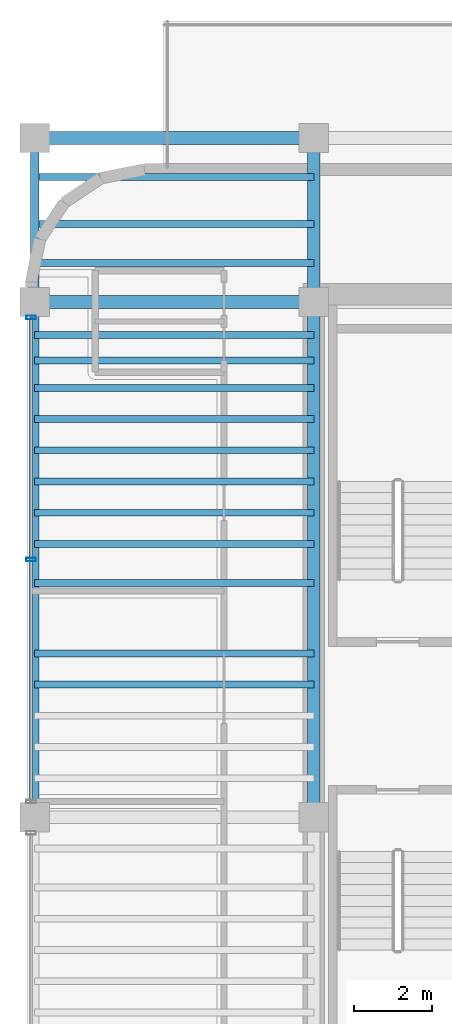
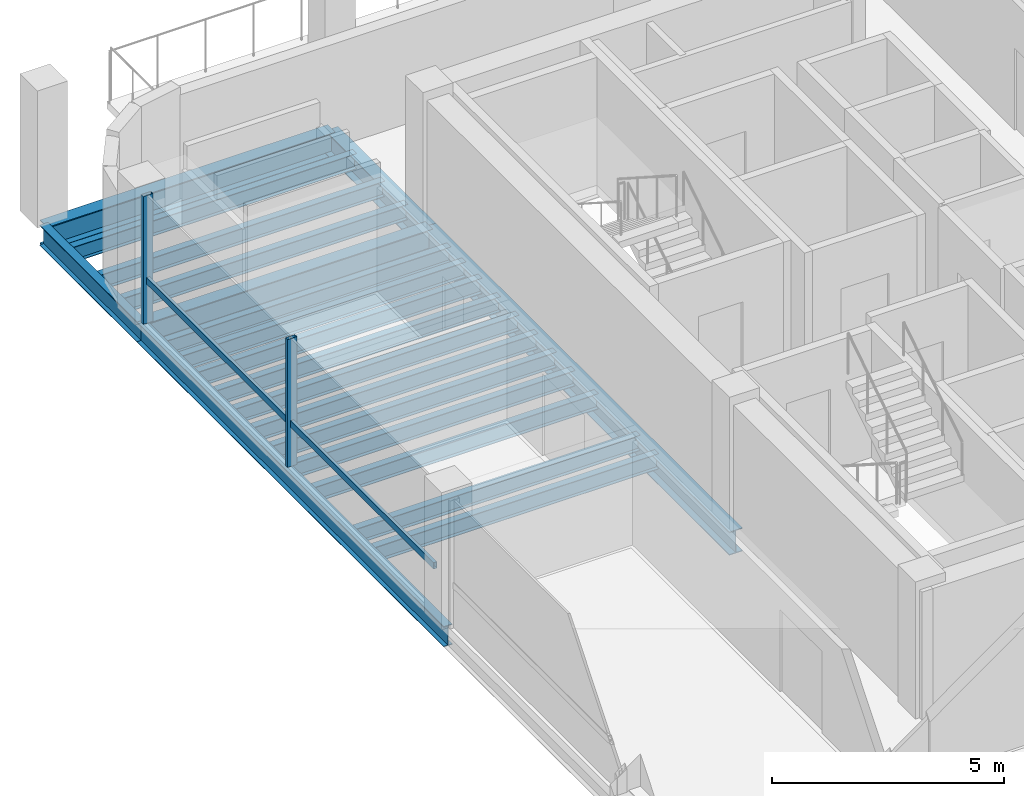
# One storey, part 5 of 13: 20 beams, 3 members, 1 element without a shape of its own.
"""IFC4 building model written with IfcOpenShell, lengths in metres."""

from ifc_helpers import new_model, si_unit, direction, frame, origin, origin_2d, place, context, subcontext, project, spatial, hollow_rectangle, i_section, extrude, source, transform, mapped, material, material_profile, profile_set, type_object, element, aggregate, save


model = new_model("IFC4")

# Units and contexts
model_context = context("Model", 3, precision=1e-05, world=origin(), true_north=direction((0.0, 1.0)))
body_context = subcontext(model_context, "Body", "Model", "MODEL_VIEW")
ifc_project = project(units=[si_unit("LENGTHUNIT", "METRE"), si_unit("AREAUNIT", "SQUARE_METRE"), si_unit("VOLUMEUNIT", "CUBIC_METRE"), si_unit("PLANEANGLEUNIT", "RADIAN"), si_unit("MASSUNIT", "GRAM", prefix="KILO")], contexts=[model_context])

# Site, building, storey
site_placement = place(None, origin())
site = spatial("IfcSite", under=ifc_project, at=site_placement, CompositionType="ELEMENT")
building_placement = place(site_placement, origin())
building = spatial("IfcBuilding", under=site, at=building_placement, Name="Valdorenza Pilgrim Sanctuary Tower", CompositionType="ELEMENT")
storey_placement = place(building_placement, frame((0.0, 0.0, 290.60009765625)))
storey = spatial("IfcBuildingStorey", under=building, at=storey_placement, Name="L76", CompositionType="ELEMENT", Elevation=290.60009765625)

# Beams
ifc_material_1 = material(Name="Steel ASTM A992 Grade 50", Category="steel")
ifc_material_profile_1 = material_profile(ifc_material_1, i_section(OverallWidth=0.323974609375, OverallDepth=0.611083984375, WebThickness=0.0126953125, FlangeThickness=0.01904296875, at=origin_2d()), Name="W24X104")
ifc_profile_set_1 = profile_set([ifc_material_profile_1], Name="Steel ASTM A992 Grade 50")
beam_type_1 = type_object("IfcBeamType", Name="STR-BM-GRD-W24B", PredefinedType="BEAM", material=ifc_profile_set_1)
shared_shape_1 = source(origin(), body_context, "Body", "SweptSolid", [
    extrude(i_section(OverallWidth=0.323974609375, OverallDepth=0.611083984375, WebThickness=0.0126953125, FlangeThickness=0.01904296875, at=origin_2d()), origin(), (0.0, 0.0, 1.0), 13.2001953125),
])
beam_1_placement = place(storey_placement, frame((-22.64990234375, -2.60009765625, -0.545654296875), z_axis=(0.0, 1.0, 0.0), x_axis=(-1.0, 0.0, 0.0)))
element("IfcBeam", 1, at=beam_1_placement, inside=storey, type_object=beam_type_1, Name="L76 Core Tie Girder CA-W-M0N1", PredefinedType="BEAM", context=body_context, shape_type="MappedRepresentation", body=[
    mapped(shared_shape_1, transform((0.0, 0.0, 0.0), x_axis=(1.0, 0.0, 0.0), y_axis=(0.0, 1.0, 0.0), z_axis=(0.0, 0.0, 1.0), scale=1.0)),
])
shared_shape_2 = source(origin(), body_context, "Body", "SweptSolid", [
    extrude(i_section(OverallWidth=0.323974609375, OverallDepth=0.611083984375, WebThickness=0.0126953125, FlangeThickness=0.01904296875, at=origin_2d()), origin(), (0.0, 0.0, 1.0), 4.199951171875),
])
beam_2_placement = place(storey_placement, frame((-22.64990234375, 10.60009765625, -0.545654296875), z_axis=(0.0, 1.0, 0.0), x_axis=(-1.0, 0.0, 0.0)))
element("IfcBeam", 2, at=beam_2_placement, inside=storey, type_object=beam_type_1, Name="L76 Core Tie Girder CA-W-N1N2", PredefinedType="BEAM", context=body_context, shape_type="MappedRepresentation", body=[
    mapped(shared_shape_2, transform((0.0, 0.0, 0.0), x_axis=(1.0, 0.0, 0.0), y_axis=(0.0, 1.0, 0.0), z_axis=(0.0, 0.0, 1.0), scale=1.0)),
])
ifc_material_profile_2 = material_profile(ifc_material_1, i_section(OverallWidth=0.2109375, OverallDepth=0.5390625, WebThickness=0.01171875, FlangeThickness=0.018798828125, at=origin_2d()), Name="W21X73")
ifc_profile_set_2 = profile_set([ifc_material_profile_2], Name="Steel ASTM A992 Grade 50")
beam_type_2 = type_object("IfcBeamType", Name="STR-BM-SPN-W21B", PredefinedType="SPANDREL", material=ifc_profile_set_2)
shared_shape_3 = source(origin(), body_context, "Body", "SweptSolid", [
    extrude(i_section(OverallWidth=0.2109375, OverallDepth=0.5390625, WebThickness=0.01171875, FlangeThickness=0.018798828125, at=origin_2d()), origin(), (0.0, 0.0, 1.0), 13.2001953125),
])
beam_3_placement = place(storey_placement, frame((-29.800048828125, -2.60009765625, -0.509521484375), z_axis=(0.0, 1.0, 0.0), x_axis=(-1.0, 0.0, 0.0)))
element("IfcBeam", 3, at=beam_3_placement, inside=storey, type_object=beam_type_2, Name="L76 Spandrel Beam WA-W-M0N1", PredefinedType="SPANDREL", context=body_context, shape_type="MappedRepresentation", body=[
    mapped(shared_shape_3, transform((0.0, 0.0, 0.0), x_axis=(1.0, 0.0, 0.0), y_axis=(0.0, 1.0, 0.0), z_axis=(0.0, 0.0, 1.0), scale=1.0)),
])
shared_shape_4 = source(origin(), body_context, "Body", "SweptSolid", [
    extrude(i_section(OverallWidth=0.2109375, OverallDepth=0.5390625, WebThickness=0.01171875, FlangeThickness=0.018798828125, at=origin_2d()), origin(), (0.0, 0.0, 1.0), 4.199951171875),
])
beam_4_placement = place(storey_placement, frame((-29.800048828125, 10.60009765625, -0.509521484375), z_axis=(0.0, 1.0, 0.0), x_axis=(-1.0, 0.0, 0.0)))
element("IfcBeam", 4, at=beam_4_placement, inside=storey, type_object=beam_type_2, Name="L76 Spandrel Beam WA-W-N1N2", PredefinedType="SPANDREL", context=body_context, shape_type="MappedRepresentation", body=[
    mapped(shared_shape_4, transform((0.0, 0.0, 0.0), x_axis=(1.0, 0.0, 0.0), y_axis=(0.0, 1.0, 0.0), z_axis=(0.0, 0.0, 1.0), scale=1.0)),
])
ifc_material_profile_3 = material_profile(ifc_material_1, i_section(OverallWidth=0.177978515625, OverallDepth=0.406005859375, WebThickness=0.0078125, FlangeThickness=0.0126953125, at=origin_2d()), Name="W16X40")
ifc_profile_set_3 = profile_set([ifc_material_profile_3], Name="Steel ASTM A992 Grade 50")
beam_type_3 = type_object("IfcBeamType", Name="STR-BM-JST-W16", PredefinedType="JOIST", material=ifc_profile_set_3)
shared_shape_5 = source(origin(), body_context, "Body", "SweptSolid", [
    extrude(i_section(OverallWidth=0.177978515625, OverallDepth=0.406005859375, WebThickness=0.0078125, FlangeThickness=0.0126953125, at=origin_2d()), origin(), (0.0, 0.0, 1.0), 7.150146484375),
])
for number, where, z_axis, x_axis, name in (
    (5, (-29.800048828125, 0.800048828125, -0.443115234375), (1.0, 0.0, 0.0), (0.0, 1.0, 0.0), "L76 Composite Floor Joist JST-WA-13"),
    (6, (-29.800048828125, 1.60009765625, -0.443115234375), (1.0, 0.0, 0.0), (0.0, 1.0, 0.0), "L76 Composite Floor Joist JST-WA-14"),
    (7, (-29.800048828125, 3.39990234375, -0.443115234375), (1.0, 0.0, 0.0), (0.0, 1.0, 0.0), "L76 Composite Floor Joist JST-WA-15"),
    (8, (-29.800048828125, 4.39990234375, -0.443115234375), (1.0, 0.0, 0.0), (0.0, 1.0, 0.0), "L76 Composite Floor Joist JST-WA-16"),
    (9, (-29.800048828125, 5.199951171875, -0.443115234375), (1.0, 0.0, 0.0), (0.0, 1.0, 0.0), "L76 Composite Floor Joist JST-WA-17"),
    (10, (-29.800048828125, 6.0, -0.443115234375), (1.0, 0.0, 0.0), (0.0, 1.0, 0.0), "L76 Composite Floor Joist JST-WA-18"),
    (11, (-29.800048828125, 6.800048828125, -0.443115234375), (1.0, 0.0, 0.0), (0.0, 1.0, 0.0), "L76 Composite Floor Joist JST-WA-19"),
    (12, (-29.800048828125, 7.60009765625, -0.443115234375), (1.0, 0.0, 0.0), (0.0, 1.0, 0.0), "L76 Composite Floor Joist JST-WA-20"),
    (13, (-29.800048828125, 8.39990234375, -0.443115234375), (1.0, 0.0, 0.0), (0.0, 1.0, 0.0), "L76 Composite Floor Joist JST-WA-21"),
    (14, (-29.800048828125, 9.10009765625, -0.443115234375), (1.0, 0.0, 0.0), (0.0, 1.0, 0.0), "L76 Composite Floor Joist JST-WA-22"),
    (15, (-29.800048828125, 9.75, -0.443115234375), (1.0, 0.0, 0.0), (0.0, 1.0, 0.0), "L76 Composite Floor Joist JST-WA-23"),
    (16, (-29.800048828125, 11.60009765625, -0.443115234375), (1.0, 0.0, 0.0), (0.0, 1.0, 0.0), "L76 Composite Floor Joist JST-WA-24"),
    (17, (-29.800048828125, 12.60009765625, -0.443115234375), (1.0, 0.0, 0.0), (0.0, 1.0, 0.0), "L76 Composite Floor Joist JST-WA-25"),
    (18, (-29.800048828125, 13.800048828125, -0.443115234375), (1.0, 0.0, 0.0), (0.0, 1.0, 0.0), "L76 Composite Floor Joist JST-WA-26"),
):
    element("IfcBeam", number, at=place(storey_placement, frame(where, z_axis=z_axis, x_axis=x_axis)), inside=storey, type_object=beam_type_3, Name=name, PredefinedType="JOIST", context=body_context, shape_type="MappedRepresentation", body=[
        mapped(shared_shape_5, transform((0.0, 0.0, 0.0), x_axis=(1.0, 0.0, 0.0), y_axis=(0.0, 1.0, 0.0), z_axis=(0.0, 0.0, 1.0), scale=1.0)),
    ])
ifc_material_profile_4 = material_profile(ifc_material_1, i_section(OverallWidth=0.326904296875, OverallDepth=0.6220703125, WebThickness=0.015380859375, FlangeThickness=0.0244140625, at=origin_2d()), Name="W24X131")
ifc_profile_set_4 = profile_set([ifc_material_profile_4], Name="Steel ASTM A992 Grade 50")
beam_type_4 = type_object("IfcBeamType", Name="STR-BM-GRD-W24A", PredefinedType="BEAM", material=ifc_profile_set_4)
shared_shape_6 = source(origin(), body_context, "Body", "SweptSolid", [
    extrude(i_section(OverallWidth=0.326904296875, OverallDepth=0.6220703125, WebThickness=0.015380859375, FlangeThickness=0.0244140625, at=origin_2d()), origin(), (0.0, 0.0, 1.0), 7.150146484375),
])
for number, where, z_axis, x_axis, name in (
    (19, (-29.800048828125, 10.60009765625, -0.551025390625), (1.0, 0.0, 0.0), (0.0, 1.0, 0.0), "L76 Floor Girder WA-XW-N1"),
    (20, (-29.800048828125, 14.800048828125, -0.551025390625), (1.0, 0.0, 0.0), (0.0, 1.0, 0.0), "L76 Floor Girder WA-XW-N2"),
):
    element("IfcBeam", number, at=place(storey_placement, frame(where, z_axis=z_axis, x_axis=x_axis)), inside=storey, type_object=beam_type_4, Name=name, PredefinedType="BEAM", context=body_context, shape_type="MappedRepresentation", body=[
        mapped(shared_shape_6, transform((0.0, 0.0, 0.0), x_axis=(1.0, 0.0, 0.0), y_axis=(0.0, 1.0, 0.0), z_axis=(0.0, 0.0, 1.0), scale=1.0)),
    ])

# Curtain wall, members
ifc_material_2 = material(Name="Curtain-wall IGU glazing", Category="glass")
curtain_wall_type = type_object("IfcCurtainWallType", Name="CW-SYS-04", PredefinedType="NOTDEFINED", material=ifc_material_2)
curtain_wall_placement = place(storey_placement, origin())
curtain_wall = element("IfcCurtainWall", 21, at=curtain_wall_placement, inside=storey, type_object=curtain_wall_type, Name="L76 Curtain Wall CW-L76-1-1S3", PredefinedType="NOTDEFINED")
ifc_material_3 = material(Name="Anodised aluminium AW-6060", Category="aluminium")
ifc_material_profile_5 = material_profile(ifc_material_3, hollow_rectangle(XDim=0.090087890625, YDim=0.239990234375, WallThickness=0.0048828125, at=origin_2d()), Name="ALU-M 240x90x5")
ifc_profile_set_5 = profile_set([ifc_material_profile_5], Name="Anodised aluminium AW-6060")
member_type_1 = type_object("IfcMemberType", Name="CW-MUL-04", PredefinedType="MULLION", material=ifc_profile_set_5)
shared_shape_7 = source(origin(), body_context, "Body", "SweptSolid", [
    extrude(hollow_rectangle(XDim=0.090087890625, YDim=0.239990234375, WallThickness=0.0048828125, at=origin_2d()), origin(), (0.0, 0.0, 1.0), 3.35986328125),
])
member_1_placement = place(storey_placement, frame((-29.889892578125, 4.0, 0.0), z_axis=(0.0, 0.0, 1.0), x_axis=(0.0, 1.0, 0.0)))
member_1 = element("IfcMember", 22, at=member_1_placement, type_object=member_type_1, Name="CW-L76-1-1S3 Mullion 2", PredefinedType="MULLION", context=body_context, shape_type="MappedRepresentation", body=[
    mapped(shared_shape_7, transform((0.0, 0.0, 0.0), x_axis=(1.0, 0.0, 0.0), y_axis=(0.0, 1.0, 0.0), z_axis=(0.0, 0.0, 1.0), scale=1.0)),
])
member_2_placement = place(storey_placement, frame((-29.889892578125, 10.199951171875, 0.0), z_axis=(0.0, 0.0, 1.0), x_axis=(0.0, 1.0, 0.0)))
member_2 = element("IfcMember", 23, at=member_2_placement, type_object=member_type_1, Name="CW-L76-1-1S3 Mullion 3", PredefinedType="MULLION", context=body_context, shape_type="MappedRepresentation", body=[
    mapped(shared_shape_7, transform((0.0, 0.0, 0.0), x_axis=(1.0, 0.0, 0.0), y_axis=(0.0, 1.0, 0.0), z_axis=(0.0, 0.0, 1.0), scale=1.0)),
])
ifc_material_profile_6 = material_profile(ifc_material_3, hollow_rectangle(XDim=0.080078125, YDim=0.169921875, WallThickness=0.00390625, at=origin_2d()), Name="ALU-T 170x80x4")
ifc_profile_set_6 = profile_set([ifc_material_profile_6], Name="Anodised aluminium AW-6060")
member_type_2 = type_object("IfcMemberType", Name="CW-TRN-04", PredefinedType="USERDEFINED", material=ifc_profile_set_6)
shared_shape_8 = source(origin(), body_context, "Body", "SweptSolid", [
    extrude(hollow_rectangle(XDim=0.080078125, YDim=0.169921875, WallThickness=0.00390625, at=origin_2d()), origin(), (0.0, 0.0, 1.0), 12.39990234375),
])
member_3_placement = place(storey_placement, frame((-29.889892578125, -2.199951171875, 1.119873046875), z_axis=(0.0, 1.0, 0.0), x_axis=(-1.0, 0.0, 0.0)))
member_3 = element("IfcMember", 24, at=member_3_placement, type_object=member_type_2, Name="CW-L76-1-1S3 Transom 1", ObjectType="TRANSOM", PredefinedType="USERDEFINED", context=body_context, shape_type="MappedRepresentation", body=[
    mapped(shared_shape_8, transform((0.0, 0.0, 0.0), x_axis=(1.0, 0.0, 0.0), y_axis=(0.0, 1.0, 0.0), z_axis=(0.0, 0.0, 1.0), scale=1.0)),
])
aggregate(curtain_wall, [member_1, member_2, member_3])

save(model, "model.ifc")
